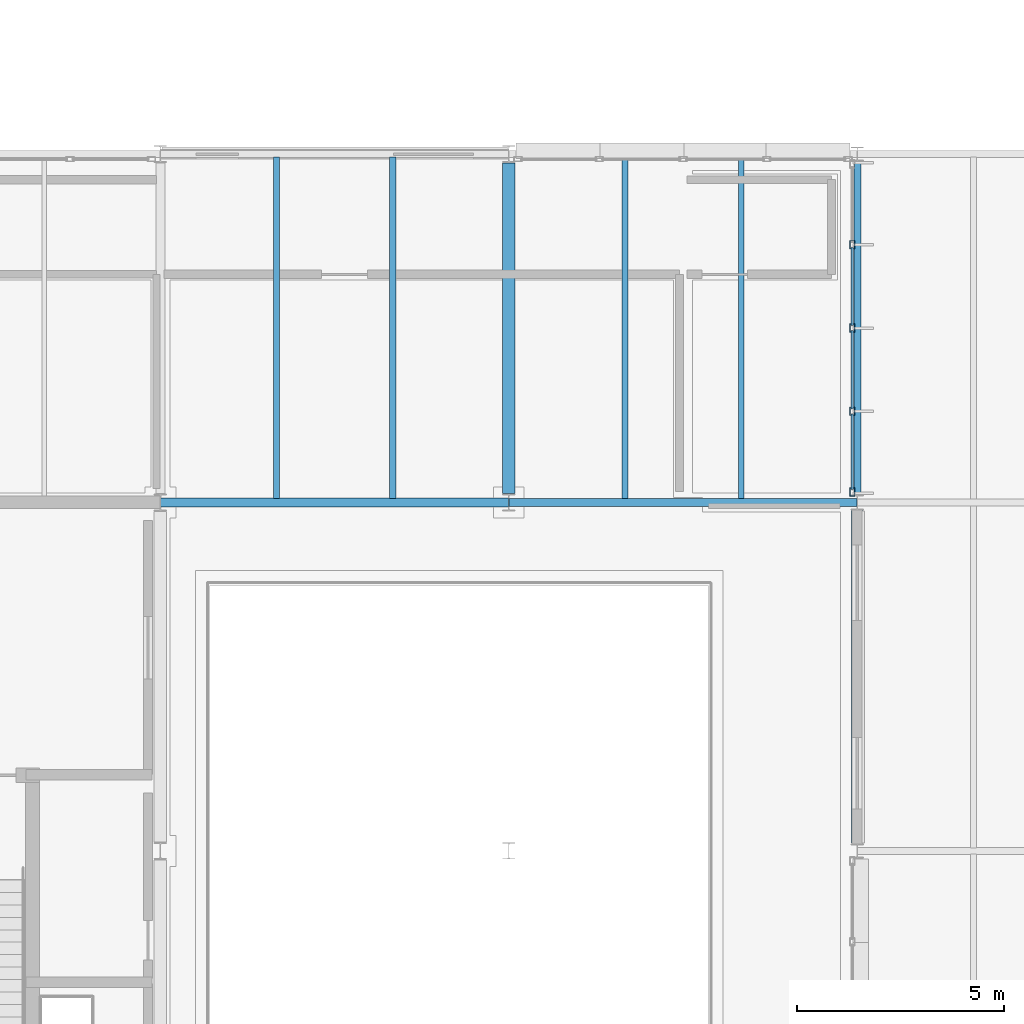
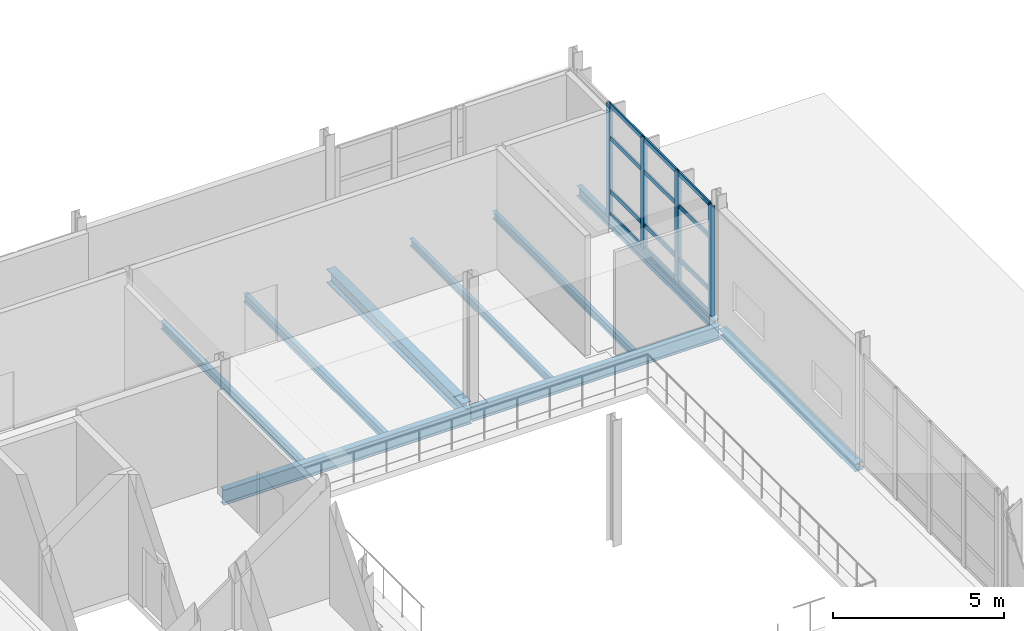
# One storey, part 61 of 129: 16 members, 9 beams, 1 element without a shape of its own.
"""IFC4 building model written with IfcOpenShell, lengths in metres."""

from ifc_helpers import new_model, si_unit, direction, frame, origin, origin_2d, place, context, subcontext, project, spatial, hollow_rectangle, i_section, extrude, material, material_profile, profile_set, type_object, element, aggregate, save


model = new_model("IFC4")

# Units and contexts
model_context = context("Model", 3, precision=1e-05, world=origin(), true_north=direction((0.0, 1.0)))
body_context = subcontext(model_context, "Body", "Model", "MODEL_VIEW")
ifc_project = project(units=[si_unit("LENGTHUNIT", "METRE"), si_unit("AREAUNIT", "SQUARE_METRE"), si_unit("VOLUMEUNIT", "CUBIC_METRE"), si_unit("PLANEANGLEUNIT", "RADIAN"), si_unit("MASSUNIT", "GRAM", prefix="KILO")], contexts=[model_context])

# Site, building, storey
site_placement = place(None, origin())
site = spatial("IfcSite", under=ifc_project, at=site_placement, CompositionType="ELEMENT")
building_placement = place(site_placement, origin())
building = spatial("IfcBuilding", under=site, at=building_placement, Name="Mersafa Astral City Hall", CompositionType="ELEMENT")
storey_placement = place(building_placement, frame((0.0, 0.0, 5.39990234375)))
storey = spatial("IfcBuildingStorey", under=building, at=storey_placement, Name="L01", CompositionType="ELEMENT", Elevation=5.39990234375)

# Curtain wall, members
ifc_material_1 = material(Name="Anodised bronze aluminium framing", Category="aluminium")
curtain_wall_type = type_object("IfcCurtainWallType", Name="ENV-CW-3", PredefinedType="USERDEFINED", material=ifc_material_1)
curtain_wall_placement = place(storey_placement, origin())
curtain_wall = element("IfcCurtainWall", 1, at=curtain_wall_placement, inside=storey, type_object=curtain_wall_type, Name="L01 Unitised solar curtain wall 50", ObjectType="UNITISED CURTAIN WALL", PredefinedType="USERDEFINED")
ifc_material_profile_1 = material_profile(ifc_material_1, hollow_rectangle(XDim=0.1201171875, YDim=0.199951171875, WallThickness=0.008056640625, at=origin_2d()), Name="RHS 120x200x8")
ifc_profile_set_1 = profile_set([ifc_material_profile_1], Name="Anodised bronze aluminium framing")
member_type_1 = type_object("IfcMemberType", Name="ENV-CW-MUL-2", PredefinedType="MULLION", material=ifc_profile_set_1)
member_1_placement = place(storey_placement, frame((142.679931640625, 25.451904296875, -0.001953125), z_axis=(0.0, 0.0, 1.0), x_axis=(-1.0, 0.0, 0.0)))
member_1 = element("IfcMember", 2, at=member_1_placement, type_object=member_type_1, Name="CW-3 mullion 1", PredefinedType="MULLION", context=body_context, shape_type="SweptSolid", body=[
    extrude(hollow_rectangle(XDim=0.1201171875, YDim=0.199951171875, WallThickness=0.008056640625, at=origin_2d()), origin(), (0.0, 0.0, 1.0), 3.93896484375),
])
member_2_placement = place(storey_placement, frame((142.679931640625, 27.3984375, -0.001953125), z_axis=(0.0, 0.0, 1.0), x_axis=(-1.0, 0.0, 0.0)))
member_2 = element("IfcMember", 3, at=member_2_placement, type_object=member_type_1, Name="CW-3 mullion 2", PredefinedType="MULLION", context=body_context, shape_type="SweptSolid", body=[
    extrude(hollow_rectangle(XDim=0.1201171875, YDim=0.199951171875, WallThickness=0.008056640625, at=origin_2d()), origin(), (0.0, 0.0, 1.0), 3.93896484375),
])
member_3_placement = place(storey_placement, frame((142.679931640625, 29.405029296875, -0.001953125), z_axis=(0.0, 0.0, 1.0), x_axis=(-1.0, 0.0, 0.0)))
member_3 = element("IfcMember", 4, at=member_3_placement, type_object=member_type_1, Name="CW-3 mullion 3", PredefinedType="MULLION", context=body_context, shape_type="SweptSolid", body=[
    extrude(hollow_rectangle(XDim=0.1201171875, YDim=0.199951171875, WallThickness=0.008056640625, at=origin_2d()), origin(), (0.0, 0.0, 1.0), 3.93896484375),
])
member_4_placement = place(storey_placement, frame((142.679931640625, 31.41162109375, -0.001953125), z_axis=(0.0, 0.0, 1.0), x_axis=(-1.0, 0.0, 0.0)))
member_4 = element("IfcMember", 5, at=member_4_placement, type_object=member_type_1, Name="CW-3 mullion 4", PredefinedType="MULLION", context=body_context, shape_type="SweptSolid", body=[
    extrude(hollow_rectangle(XDim=0.1201171875, YDim=0.199951171875, WallThickness=0.008056640625, at=origin_2d()), origin(), (0.0, 0.0, 1.0), 3.93896484375),
])
ifc_material_profile_2 = material_profile(ifc_material_1, hollow_rectangle(XDim=0.06005859375, YDim=0.159912109375, WallThickness=0.00390625, at=origin_2d()), Name="RHS 60x160x4")
ifc_profile_set_2 = profile_set([ifc_material_profile_2], Name="Anodised bronze aluminium framing")
member_type_2 = type_object("IfcMemberType", Name="ENV-CW-TRN-2", PredefinedType="USERDEFINED", material=ifc_profile_set_2)
member_5_placement = place(storey_placement, frame((142.679931640625, 25.511962890625, 0.028076171875), z_axis=(0.0, 1.0, 0.0), x_axis=(-1.0, 0.0, 0.0)))
member_5 = element("IfcMember", 6, at=member_5_placement, type_object=member_type_2, Name="CW-3 transom 1.1", ObjectType="TRANSOM", PredefinedType="USERDEFINED", context=body_context, shape_type="SweptSolid", body=[
    extrude(hollow_rectangle(XDim=0.06005859375, YDim=0.159912109375, WallThickness=0.00390625, at=origin_2d()), origin(), (0.0, 0.0, 1.0), 1.826416015625),
])
member_6_placement = place(storey_placement, frame((142.679931640625, 25.511962890625, 0.85009765625), z_axis=(0.0, 1.0, 0.0), x_axis=(-1.0, 0.0, 0.0)))
member_6 = element("IfcMember", 7, at=member_6_placement, type_object=member_type_2, Name="CW-3 transom 1.2", ObjectType="TRANSOM", PredefinedType="USERDEFINED", context=body_context, shape_type="SweptSolid", body=[
    extrude(hollow_rectangle(XDim=0.06005859375, YDim=0.159912109375, WallThickness=0.00390625, at=origin_2d()), origin(), (0.0, 0.0, 1.0), 1.826416015625),
])
member_7_placement = place(storey_placement, frame((142.679931640625, 25.511962890625, 2.75), z_axis=(0.0, 1.0, 0.0), x_axis=(-1.0, 0.0, 0.0)))
member_7 = element("IfcMember", 8, at=member_7_placement, type_object=member_type_2, Name="CW-3 transom 1.3", ObjectType="TRANSOM", PredefinedType="USERDEFINED", context=body_context, shape_type="SweptSolid", body=[
    extrude(hollow_rectangle(XDim=0.06005859375, YDim=0.159912109375, WallThickness=0.00390625, at=origin_2d()), origin(), (0.0, 0.0, 1.0), 1.826416015625),
])
member_8_placement = place(storey_placement, frame((142.679931640625, 25.511962890625, 3.906982421875), z_axis=(0.0, 1.0, 0.0), x_axis=(-1.0, 0.0, 0.0)))
member_8 = element("IfcMember", 9, at=member_8_placement, type_object=member_type_2, Name="CW-3 transom 1.4", ObjectType="TRANSOM", PredefinedType="USERDEFINED", context=body_context, shape_type="SweptSolid", body=[
    extrude(hollow_rectangle(XDim=0.06005859375, YDim=0.159912109375, WallThickness=0.00390625, at=origin_2d()), origin(), (0.0, 0.0, 1.0), 1.826416015625),
])
member_9_placement = place(storey_placement, frame((142.679931640625, 27.45849609375, 0.028076171875), z_axis=(0.0, 1.0, 0.0), x_axis=(-1.0, 0.0, 0.0)))
member_9 = element("IfcMember", 10, at=member_9_placement, type_object=member_type_2, Name="CW-3 transom 2.1", ObjectType="TRANSOM", PredefinedType="USERDEFINED", context=body_context, shape_type="SweptSolid", body=[
    extrude(hollow_rectangle(XDim=0.06005859375, YDim=0.159912109375, WallThickness=0.00390625, at=origin_2d()), origin(), (0.0, 0.0, 1.0), 1.886474609375),
])
member_10_placement = place(storey_placement, frame((142.679931640625, 27.45849609375, 0.85009765625), z_axis=(0.0, 1.0, 0.0), x_axis=(-1.0, 0.0, 0.0)))
member_10 = element("IfcMember", 11, at=member_10_placement, type_object=member_type_2, Name="CW-3 transom 2.2", ObjectType="TRANSOM", PredefinedType="USERDEFINED", context=body_context, shape_type="SweptSolid", body=[
    extrude(hollow_rectangle(XDim=0.06005859375, YDim=0.159912109375, WallThickness=0.00390625, at=origin_2d()), origin(), (0.0, 0.0, 1.0), 1.886474609375),
])
member_11_placement = place(storey_placement, frame((142.679931640625, 27.45849609375, 2.75), z_axis=(0.0, 1.0, 0.0), x_axis=(-1.0, 0.0, 0.0)))
member_11 = element("IfcMember", 12, at=member_11_placement, type_object=member_type_2, Name="CW-3 transom 2.3", ObjectType="TRANSOM", PredefinedType="USERDEFINED", context=body_context, shape_type="SweptSolid", body=[
    extrude(hollow_rectangle(XDim=0.06005859375, YDim=0.159912109375, WallThickness=0.00390625, at=origin_2d()), origin(), (0.0, 0.0, 1.0), 1.886474609375),
])
member_12_placement = place(storey_placement, frame((142.679931640625, 27.45849609375, 3.906982421875), z_axis=(0.0, 1.0, 0.0), x_axis=(-1.0, 0.0, 0.0)))
member_12 = element("IfcMember", 13, at=member_12_placement, type_object=member_type_2, Name="CW-3 transom 2.4", ObjectType="TRANSOM", PredefinedType="USERDEFINED", context=body_context, shape_type="SweptSolid", body=[
    extrude(hollow_rectangle(XDim=0.06005859375, YDim=0.159912109375, WallThickness=0.00390625, at=origin_2d()), origin(), (0.0, 0.0, 1.0), 1.886474609375),
])
member_13_placement = place(storey_placement, frame((142.679931640625, 29.465087890625, 0.028076171875), z_axis=(0.0, 1.0, 0.0), x_axis=(-1.0, 0.0, 0.0)))
member_13 = element("IfcMember", 14, at=member_13_placement, type_object=member_type_2, Name="CW-3 transom 3.1", ObjectType="TRANSOM", PredefinedType="USERDEFINED", context=body_context, shape_type="SweptSolid", body=[
    extrude(hollow_rectangle(XDim=0.06005859375, YDim=0.159912109375, WallThickness=0.00390625, at=origin_2d()), origin(), (0.0, 0.0, 1.0), 1.886474609375),
])
member_14_placement = place(storey_placement, frame((142.679931640625, 29.465087890625, 0.85009765625), z_axis=(0.0, 1.0, 0.0), x_axis=(-1.0, 0.0, 0.0)))
member_14 = element("IfcMember", 15, at=member_14_placement, type_object=member_type_2, Name="CW-3 transom 3.2", ObjectType="TRANSOM", PredefinedType="USERDEFINED", context=body_context, shape_type="SweptSolid", body=[
    extrude(hollow_rectangle(XDim=0.06005859375, YDim=0.159912109375, WallThickness=0.00390625, at=origin_2d()), origin(), (0.0, 0.0, 1.0), 1.886474609375),
])
member_15_placement = place(storey_placement, frame((142.679931640625, 29.465087890625, 2.75), z_axis=(0.0, 1.0, 0.0), x_axis=(-1.0, 0.0, 0.0)))
member_15 = element("IfcMember", 16, at=member_15_placement, type_object=member_type_2, Name="CW-3 transom 3.3", ObjectType="TRANSOM", PredefinedType="USERDEFINED", context=body_context, shape_type="SweptSolid", body=[
    extrude(hollow_rectangle(XDim=0.06005859375, YDim=0.159912109375, WallThickness=0.00390625, at=origin_2d()), origin(), (0.0, 0.0, 1.0), 1.886474609375),
])
member_16_placement = place(storey_placement, frame((142.679931640625, 29.465087890625, 3.906982421875), z_axis=(0.0, 1.0, 0.0), x_axis=(-1.0, 0.0, 0.0)))
member_16 = element("IfcMember", 17, at=member_16_placement, type_object=member_type_2, Name="CW-3 transom 3.4", ObjectType="TRANSOM", PredefinedType="USERDEFINED", context=body_context, shape_type="SweptSolid", body=[
    extrude(hollow_rectangle(XDim=0.06005859375, YDim=0.159912109375, WallThickness=0.00390625, at=origin_2d()), origin(), (0.0, 0.0, 1.0), 1.886474609375),
])
aggregate(curtain_wall, [member_1, member_2, member_3, member_4, member_5, member_6, member_7, member_8, member_9, member_10, member_11, member_12, member_13, member_14, member_15, member_16])

# Beams
ifc_material_2 = material(Name="Steel S355", Category="steel")
ifc_material_profile_3 = material_profile(ifc_material_2, i_section(OverallWidth=0.300048828125, OverallDepth=0.489990234375, WebThickness=0.011962890625, FlangeThickness=0.02294921875, FilletRadius=0.027099609375, at=origin_2d()), Name="HEA 500")
ifc_profile_set_3 = profile_set([ifc_material_profile_3], Name="Steel S355")
beam_type_1 = type_object("IfcBeamType", Name="STR-BM-HEA500", PredefinedType="BEAM", material=ifc_profile_set_3)
beam_1_placement = place(storey_placement, frame((134.39990234375, 25.419921875, -0.469970703125), z_axis=(0.0, 1.0, 0.0), x_axis=(-1.0, 0.0, 0.0)))
element("IfcBeam", 18, at=beam_1_placement, inside=storey, type_object=beam_type_1, Name="L01 Primary girder Y 16-3", PredefinedType="BEAM", context=body_context, shape_type="SweptSolid", body=[
    extrude(i_section(OverallWidth=0.300048828125, OverallDepth=0.489990234375, WebThickness=0.011962890625, FlangeThickness=0.02294921875, FilletRadius=0.027099609375, at=origin_2d()), origin(), (0.0, 0.0, 1.0), 7.9599609375),
])
ifc_material_profile_4 = material_profile(ifc_material_2, i_section(OverallWidth=0.199951171875, OverallDepth=0.5, WebThickness=0.01025390625, FlangeThickness=0.01611328125, FilletRadius=0.02099609375, at=origin_2d()), Name="IPE 500")
ifc_profile_set_4 = profile_set([ifc_material_profile_4], Name="Steel S355")
beam_type_2 = type_object("IfcBeamType", Name="STR-BM-IPE500", PredefinedType="BEAM", material=ifc_profile_set_4)
beam_2_placement = place(storey_placement, frame((134.403076171875, 25.199951171875, -0.474853515625), z_axis=(1.0, 0.0, 0.0), x_axis=(0.0, 1.0, 0.0)))
element("IfcBeam", 19, at=beam_2_placement, inside=storey, type_object=beam_type_2, Name="L01 Primary girder X 16-3", PredefinedType="BEAM", context=body_context, shape_type="SweptSolid", body=[
    extrude(i_section(OverallWidth=0.199951171875, OverallDepth=0.5, WebThickness=0.01025390625, FlangeThickness=0.01611328125, FilletRadius=0.02099609375, at=origin_2d()), origin(), (0.0, 0.0, 1.0), 8.39404296875),
])
ifc_material_profile_5 = material_profile(ifc_material_2, i_section(OverallWidth=0.2099609375, OverallDepth=0.550048828125, WebThickness=0.010986328125, FlangeThickness=0.01708984375, FilletRadius=0.02392578125, at=origin_2d()), Name="IPE 550")
ifc_profile_set_5 = profile_set([ifc_material_profile_5], Name="Steel S355")
beam_type_3 = type_object("IfcBeamType", Name="STR-BM-IPE550", PredefinedType="BEAM", material=ifc_profile_set_5)
beam_3_placement = place(storey_placement, frame((126.0029296875, 25.199951171875, -0.5), z_axis=(1.0, 0.0, 0.0), x_axis=(0.0, 1.0, 0.0)))
element("IfcBeam", 20, at=beam_3_placement, inside=storey, type_object=beam_type_3, Name="L01 Primary girder X 15-3", PredefinedType="BEAM", context=body_context, shape_type="SweptSolid", body=[
    extrude(i_section(OverallWidth=0.2099609375, OverallDepth=0.550048828125, WebThickness=0.010986328125, FlangeThickness=0.01708984375, FilletRadius=0.02392578125, at=origin_2d()), origin(), (0.0, 0.0, 1.0), 8.39404296875),
])
ifc_material_profile_6 = material_profile(ifc_material_2, i_section(OverallWidth=0.135009765625, OverallDepth=0.27001953125, WebThickness=0.006591796875, FlangeThickness=0.01025390625, FilletRadius=0.014892578125, at=origin_2d()), Name="IPE 270")
ifc_profile_set_6 = profile_set([ifc_material_profile_6], Name="Steel S355")
beam_type_4 = type_object("IfcBeamType", Name="STR-BM-JOIST-IPE270", PredefinedType="JOIST", material=ifc_profile_set_6)
for number, where, z_axis, x_axis, name in (
    (21, (137.199951171875, 25.294921875, -0.35986328125), (0.0, 1.0, 0.0), (-1.0, 0.0, 0.0), "L01 Composite secondary floor joist 346"),
    (22, (140.0, 25.294921875, -0.35986328125), (0.0, 1.0, 0.0), (-1.0, 0.0, 0.0), "L01 Composite secondary floor joist 347"),
):
    element("IfcBeam", number, at=place(storey_placement, frame(where, z_axis=z_axis, x_axis=x_axis)), inside=storey, type_object=beam_type_4, Name=name, PredefinedType="JOIST", context=body_context, shape_type="SweptSolid", body=[
        extrude(i_section(OverallWidth=0.135009765625, OverallDepth=0.27001953125, WebThickness=0.006591796875, FlangeThickness=0.01025390625, FilletRadius=0.014892578125, at=origin_2d()), origin(), (0.0, 0.0, 1.0), 8.22509765625),
    ])
ifc_material_profile_7 = material_profile(ifc_material_2, i_section(OverallWidth=0.14990234375, OverallDepth=0.300048828125, WebThickness=0.007080078125, FlangeThickness=0.0107421875, FilletRadius=0.014892578125, at=origin_2d()), Name="IPE 300")
ifc_profile_set_7 = profile_set([ifc_material_profile_7], Name="Steel S355")
beam_type_5 = type_object("IfcBeamType", Name="STR-BM-JOIST-IPE300", PredefinedType="JOIST", material=ifc_profile_set_7)
for number, where, z_axis, x_axis, name in (
    (23, (128.800048828125, 25.300048828125, -0.375), (0.0, 1.0, 0.0), (-1.0, 0.0, 0.0), "L01 Composite secondary floor joist 340"),
    (24, (131.60009765625, 25.300048828125, -0.375), (0.0, 1.0, 0.0), (-1.0, 0.0, 0.0), "L01 Composite secondary floor joist 341"),
):
    element("IfcBeam", number, at=place(storey_placement, frame(where, z_axis=z_axis, x_axis=x_axis)), inside=storey, type_object=beam_type_5, Name=name, PredefinedType="JOIST", context=body_context, shape_type="SweptSolid", body=[
        extrude(i_section(OverallWidth=0.14990234375, OverallDepth=0.300048828125, WebThickness=0.007080078125, FlangeThickness=0.0107421875, FilletRadius=0.014892578125, at=origin_2d()), origin(), (0.0, 0.0, 1.0), 8.224853515625),
    ])
ifc_material_profile_8 = material_profile(ifc_material_2, i_section(OverallWidth=0.280029296875, OverallDepth=0.27001953125, WebThickness=0.008056640625, FlangeThickness=0.012939453125, FilletRadius=0.02392578125, at=origin_2d()), Name="HEA 280")
ifc_profile_set_8 = profile_set([ifc_material_profile_8], Name="Steel S355")
beam_type_6 = type_object("IfcBeamType", Name="STR-BM-SPANDREL-HEA280", PredefinedType="SPANDREL", material=ifc_profile_set_8)
beam_4_placement = place(storey_placement, frame((142.800048828125, 16.9951171875, -0.35986328125), z_axis=(0.0, 1.0, 0.0), x_axis=(-1.0, 0.0, 0.0)))
element("IfcBeam", 25, at=beam_4_placement, inside=storey, type_object=beam_type_6, Name="L01 Primary girder Y 17-2", PredefinedType="SPANDREL", context=body_context, shape_type="SweptSolid", body=[
    extrude(i_section(OverallWidth=0.280029296875, OverallDepth=0.27001953125, WebThickness=0.008056640625, FlangeThickness=0.012939453125, FilletRadius=0.02392578125, at=origin_2d()), origin(), (0.0, 0.0, 1.0), 8.009765625),
])
ifc_material_profile_9 = material_profile(ifc_material_2, i_section(OverallWidth=0.169921875, OverallDepth=0.360107421875, WebThickness=0.008056640625, FlangeThickness=0.0126953125, FilletRadius=0.01806640625, at=origin_2d()), Name="IPE 360")
ifc_profile_set_9 = profile_set([ifc_material_profile_9], Name="Steel S355")
beam_type_7 = type_object("IfcBeamType", Name="STR-BM-SPANDREL-IPE360", PredefinedType="SPANDREL", material=ifc_profile_set_9)
beam_5_placement = place(storey_placement, frame((142.800048828125, 25.39501953125, -0.40478515625), z_axis=(0.0, 1.0, 0.0), x_axis=(-1.0, 0.0, 0.0)))
element("IfcBeam", 26, at=beam_5_placement, inside=storey, type_object=beam_type_7, Name="L01 Primary girder Y 17-3", PredefinedType="SPANDREL", context=body_context, shape_type="SweptSolid", body=[
    extrude(i_section(OverallWidth=0.169921875, OverallDepth=0.360107421875, WebThickness=0.008056640625, FlangeThickness=0.0126953125, FilletRadius=0.01806640625, at=origin_2d()), origin(), (0.0, 0.0, 1.0), 8.010009765625),
])

save(model, "model.ifc")
